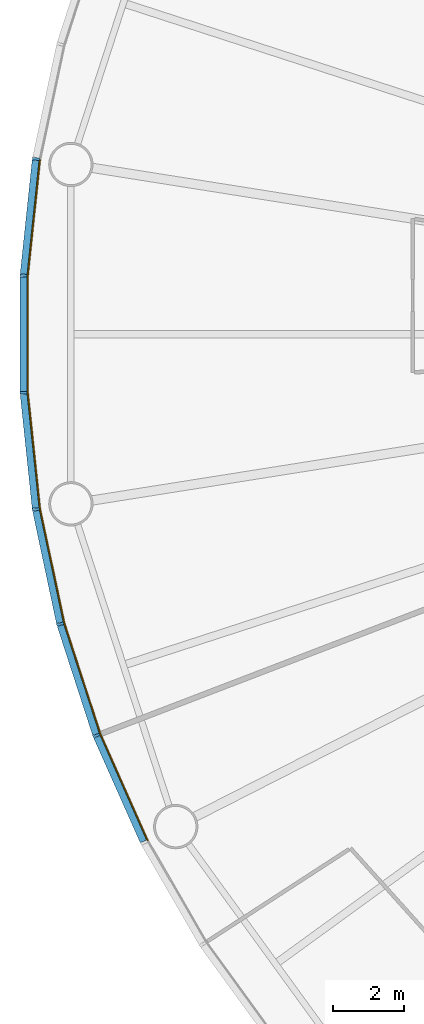
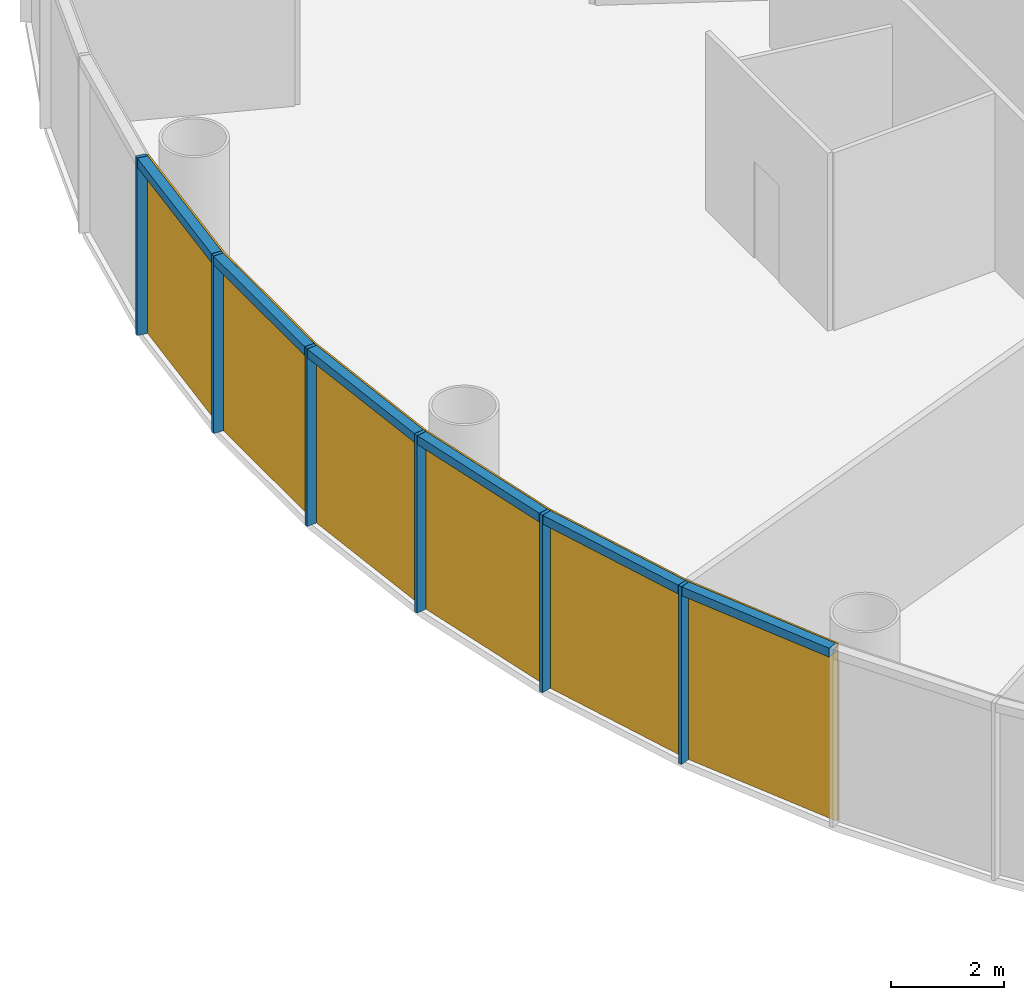
# One storey, part 8 of 13: 12 members, 2 curtain walls.
"""IFC4 building model written with IfcOpenShell, lengths in metres."""

import ifcopenshell
import ifcopenshell.guid

model = None  # the IFC model being written
_history = None  # IfcOwnerHistory: only IFC2X3 demands one
_inside = {}  # id of a spatial element -> (the spatial element, [elements in it])
_under = {}  # id of a project, library or spatial element -> (it, [spatial elements below it])
_declared = {}  # id of a project -> (the project, [libraries it declares])
_typed = {}  # id of a type object -> (the type object, [elements of that type])
_made_of = {}  # id of a material, layer set ... -> (it, [elements and type objects made of it])


def new_model(schema):
    """Start an empty IFC model of exactly this schema.

    Asked for "IFC4X3", IfcOpenShell would pick the latest addendum, in which some entities
    have other attributes; the version numbers below select the first issue.
    IFC2X3 requires an IfcOwnerHistory on every rooted entity: one is made here for all.
    """
    global model, _history
    if schema == "IFC4X3":
        model = ifcopenshell.file(schema_version=(4, 3, 0, 0))
    else:
        model = ifcopenshell.file(schema=schema)
    _inside.clear()
    _under.clear()
    _declared.clear()
    _typed.clear()
    _made_of.clear()
    _history = None
    if model.schema == "IFC2X3":
        org = make("IfcOrganization", Name="unknown")
        user = make(
            "IfcPersonAndOrganization",
            ThePerson=make("IfcPerson", FamilyName="unknown"),
            TheOrganization=org,
        )
        app = make(
            "IfcApplication",
            ApplicationDeveloper=org,
            Version="unknown",
            ApplicationFullName="unknown",
            ApplicationIdentifier="unknown",
        )
        _history = make(
            "IfcOwnerHistory",
            OwningUser=user,
            OwningApplication=app,
            ChangeAction="ADDED",
            CreationDate=0,
        )
    return model


def make(cls, **values):
    """One entity of the class cls with the attributes given. An attribute that is None is left unset."""
    return model.create_entity(
        cls, **{name: value for name, value in values.items() if value is not None}
    )


def rooted(cls, **values):
    """An entity with a GlobalId (a new one), such as an element, a storey or a relation."""
    return make(cls, GlobalId=ifcopenshell.guid.new(), OwnerHistory=_history, **values)


def si_unit(unit_type, name, prefix=None):
    """IfcSIUnit, for example si_unit("LENGTHUNIT", "METRE", prefix="MILLI")."""
    return make("IfcSIUnit", UnitType=unit_type, Prefix=prefix, Name=name)


def assignment(units):
    """IfcUnitAssignment: the units of a project."""
    return None if units is None else make("IfcUnitAssignment", Units=units)


def point(xyz):
    """IfcCartesianPoint."""
    return None if xyz is None else make("IfcCartesianPoint", Coordinates=xyz)


def direction(xyz):
    """IfcDirection."""
    return None if xyz is None else make("IfcDirection", DirectionRatios=xyz)


def frame(location, z_axis=None, x_axis=None):
    """IfcAxis2Placement3D, a coordinate frame: its origin and axes. An axis left out is left unset."""
    return make(
        "IfcAxis2Placement3D",
        Location=point(location),
        Axis=direction(z_axis),
        RefDirection=direction(x_axis),
    )


def frame_2d(location, x_axis=None):
    """IfcAxis2Placement2D, a coordinate frame in the plane: its origin and x axis."""
    return make(
        "IfcAxis2Placement2D", Location=point(location), RefDirection=direction(x_axis)
    )


def origin():
    """The frame at (0, 0, 0) with its axes left unset."""
    return frame((0.0, 0.0, 0.0))


def origin_2d():
    """The frame at (0, 0) in the plane with its x axis left unset."""
    return frame_2d((0.0, 0.0))


def place(relative_to, where):
    """IfcLocalPlacement: puts the frame where relative to a parent placement (None: the world)."""
    return make(
        "IfcLocalPlacement", PlacementRelTo=relative_to, RelativePlacement=where
    )


def context(
    kind, dimensions, precision=None, world=None, true_north=None, identifier=None
):
    """IfcGeometricRepresentationContext, for example the 3D "Model" context."""
    return make(
        "IfcGeometricRepresentationContext",
        ContextIdentifier=identifier,
        ContextType=kind,
        CoordinateSpaceDimension=dimensions,
        Precision=precision,
        WorldCoordinateSystem=world,
        TrueNorth=true_north,
    )


def subcontext(parent, identifier, kind, view, scale=None):
    """IfcGeometricRepresentationSubContext, for example "Body" below "Model"."""
    return make(
        "IfcGeometricRepresentationSubContext",
        ContextIdentifier=identifier,
        ContextType=kind,
        ParentContext=parent,
        TargetScale=scale,
        TargetView=view,
    )


def project(units=None, contexts=None):
    """IfcProject with its units and contexts."""
    return rooted(
        "IfcProject",
        Name="project",
        RepresentationContexts=contexts,
        UnitsInContext=assignment(units),
    )


def spatial(cls, under=None, at=None, **own):
    """A site, building, storey or space (cls), placed at a placement, below another one or the project."""
    s = rooted(cls, ObjectPlacement=at, **own)
    if under is not None:
        _under.setdefault(under.id(), (under, []))[1].append(s)
    return s


def polyline(points):
    """IfcPolyline through the points."""
    return make("IfcPolyline", Points=[point(p) for p in points])


def profile(cls, at=None, kind="AREA", **sizes):
    """A parametric profile (cls). Its sizes go by their IFC names, for example OverallWidth=200.0."""
    return make(cls, ProfileType=kind, Position=at, **sizes)


def rectangle(**sizes):
    """IfcRectangleProfileDef."""
    return profile("IfcRectangleProfileDef", **sizes)


def outline(outer, holes=None, kind="AREA"):
    """IfcArbitraryClosedProfileDef: a profile drawn as a closed curve; with holes, ...WithVoids."""
    if holes is None:
        return make("IfcArbitraryClosedProfileDef", ProfileType=kind, OuterCurve=outer)
    return make(
        "IfcArbitraryProfileDefWithVoids",
        ProfileType=kind,
        OuterCurve=outer,
        InnerCurves=holes,
    )


def extrude(swept, where, along, depth):
    """IfcExtrudedAreaSolid: the profile swept, set in the frame where, extruded along a direction by depth."""
    return make(
        "IfcExtrudedAreaSolid",
        SweptArea=swept,
        Position=where,
        ExtrudedDirection=direction(along),
        Depth=depth,
    )


def shape(context_of_items, identifier, shape_type, items):
    """IfcShapeRepresentation: the items that make up one representation, for example the "Body"."""
    return make(
        "IfcShapeRepresentation",
        ContextOfItems=context_of_items,
        RepresentationIdentifier=identifier,
        RepresentationType=shape_type,
        Items=items,
    )


def material(Name=None, Category=None):
    """IfcMaterial."""
    return make("IfcMaterial", Name=Name, Category=Category)


def layer(
    of_material, thickness, ventilated=None, Name=None, Category=None, Priority=None
):
    """IfcMaterialLayer: one layer of a wall or slab, of a material (None: an air gap)."""
    return make(
        "IfcMaterialLayer",
        Material=of_material,
        LayerThickness=thickness,
        IsVentilated=ventilated,
        Name=Name,
        Category=Category,
        Priority=Priority,
    )


def layer_set(layers, Name=None):
    """IfcMaterialLayerSet."""
    return make("IfcMaterialLayerSet", MaterialLayers=layers, LayerSetName=Name)


def material_profile(
    of_material, cross_section, Name=None, Category=None, Priority=None
):
    """IfcMaterialProfile: a cross section and its material."""
    return make(
        "IfcMaterialProfile",
        Name=Name,
        Material=of_material,
        Profile=cross_section,
        Priority=Priority,
        Category=Category,
    )


def profile_set(profiles, Name=None, composite=None):
    """IfcMaterialProfileSet."""
    return make(
        "IfcMaterialProfileSet",
        Name=Name,
        MaterialProfiles=profiles,
        CompositeProfile=composite,
    )


def made_of(thing, what):
    """Note that an element or type object is made of a material, layer set ...; save() writes the relation."""
    if what is not None:
        _made_of.setdefault(what.id(), (what, []))[1].append(thing)
    return thing


def type_object(cls, material=None, **own):
    """A type object (cls), such as IfcWallType, which elements share."""
    return made_of(rooted(cls, **own), material)


def element(
    cls,
    number,
    at=None,
    inside=None,
    cuts=None,
    type_object=None,
    material=None,
    context=None,
    identifier="Body",
    shape_type=None,
    held_by="IfcProductDefinitionShape",
    body=None,
    shapes=None,
    **own,
):
    """One element of the class cls, such as IfcWall. Its Tag is "e" and its number.

    at: its placement. inside: the storey or other place that contains it. cuts: it is an
    opening in that element (IfcRelVoidsElement). A single representation is given by context,
    identifier, shape_type and body (its items); several are given by shapes. held_by: the class
    of the entity that holds the representations. save() writes the other relations.
    """
    e = rooted(cls, Tag="e%d" % number, ObjectPlacement=at, **own)
    if body is not None:
        shapes = [shape(context, identifier, shape_type, body)]
    if shapes is not None:
        e.Representation = make(held_by, Representations=shapes)
    if inside is not None:
        _inside.setdefault(inside.id(), (inside, []))[1].append(e)
    if cuts is not None:
        rooted(
            "IfcRelVoidsElement", RelatingBuildingElement=cuts, RelatedOpeningElement=e
        )
    if type_object is not None:
        _typed.setdefault(type_object.id(), (type_object, []))[1].append(e)
    return made_of(e, material)


def aggregate(whole, parts):
    """IfcRelAggregates: a whole, such as a stair, and the parts it consists of."""
    return rooted("IfcRelAggregates", RelatingObject=whole, RelatedObjects=parts)


def save(model, path):
    """Write the relations noted so far, then the file.

    IfcRelAggregates (storeys below a building ...), IfcRelContainedInSpatialStructure (elements
    in a storey), IfcRelDefinesByType, IfcRelAssociatesMaterial and IfcRelDeclares: one each for
    every whole, place, type object, material and project.
    """
    for whole, parts in _under.values():
        aggregate(whole, parts)
    for where, things in _inside.values():
        rooted(
            "IfcRelContainedInSpatialStructure",
            RelatedElements=things,
            RelatingStructure=where,
        )
    for kind, things in _typed.values():
        rooted("IfcRelDefinesByType", RelatedObjects=things, RelatingType=kind)
    for what, things in _made_of.values():
        rooted("IfcRelAssociatesMaterial", RelatedObjects=things, RelatingMaterial=what)
    for by, libraries in _declared.values():
        rooted("IfcRelDeclares", RelatingContext=by, RelatedDefinitions=libraries)
    model.write(path)


model = new_model("IFC4")

# Units and contexts
model_context = context("Model", 3, precision=1e-05, world=origin(), true_north=direction((0.0, 1.0)))
body_context = subcontext(model_context, "Body", "Model", "MODEL_VIEW")
ifc_project = project(units=[si_unit("LENGTHUNIT", "METRE"), si_unit("AREAUNIT", "SQUARE_METRE"), si_unit("VOLUMEUNIT", "CUBIC_METRE"), si_unit("PLANEANGLEUNIT", "RADIAN"), si_unit("MASSUNIT", "GRAM", prefix="KILO")], contexts=[model_context])

# Member
ifc_material_1 = material(Name="Anodised aluminium", Category="aluminium")
ifc_material_profile_1 = material_profile(ifc_material_1, rectangle(XDim=0.070068359375, YDim=0.199951171875, at=origin_2d()), Name="Mullion 70 x 200 mm anodised aluminium")
ifc_profile_set_1 = profile_set([ifc_material_profile_1], Name="Anodised aluminium")
member_type_1 = type_object("IfcMemberType", Name="Mullion 70 x 200 mm anodised aluminium", PredefinedType="MULLION", material=ifc_profile_set_1)
site_placement = place(None, origin())
building_placement = place(site_placement, origin())
storey_placement = place(building_placement, frame((0.0, 0.0, 104.0)))
member_1_placement = place(storey_placement, frame((58.7890625, 84.943359375, 0.0), z_axis=(0.0, 0.0, 1.0), x_axis=(-0.15643446504, -0.987688340595, 0.0)))
member_1 = element("IfcMember", 1, at=member_1_placement, type_object=member_type_1, Name="MULLION L23-27", PredefinedType="MULLION", context=body_context, shape_type="SweptSolid", body=[
    extrude(rectangle(XDim=0.070068359375, YDim=0.199951171875, at=origin_2d()), origin(), (0.0, 0.0, 1.0), 3.85009765625),
])

member_2_placement = place(storey_placement, frame((58.443359375, 81.65380859375, 0.0), z_axis=(0.0, 0.0, 1.0), x_axis=(-0.052335956243, -0.998629534755, 0.0)))
member_2 = element("IfcMember", 2, at=member_2_placement, type_object=member_type_1, Name="MULLION L23-28", PredefinedType="MULLION", context=body_context, shape_type="SweptSolid", body=[
    extrude(rectangle(XDim=0.070068359375, YDim=0.199951171875, at=origin_2d()), origin(), (0.0, 0.0, 1.0), 3.85009765625),
])

member_3_placement = place(storey_placement, frame((58.443359375, 78.34619140625, 0.0), z_axis=(0.0, 0.0, 1.0), x_axis=(0.052335956243, -0.998629534755, 0.0)))
member_3 = element("IfcMember", 3, at=member_3_placement, type_object=member_type_1, Name="MULLION L23-29", PredefinedType="MULLION", context=body_context, shape_type="SweptSolid", body=[
    extrude(rectangle(XDim=0.070068359375, YDim=0.199951171875, at=origin_2d()), origin(), (0.0, 0.0, 1.0), 3.85009765625),
])

member_4_placement = place(storey_placement, frame((58.7890625, 75.056640625, 0.0), z_axis=(0.0, 0.0, 1.0), x_axis=(0.15643446504, -0.987688340595, 0.0)))
member_4 = element("IfcMember", 4, at=member_4_placement, type_object=member_type_1, Name="MULLION L23-30", PredefinedType="MULLION", context=body_context, shape_type="SweptSolid", body=[
    extrude(rectangle(XDim=0.070068359375, YDim=0.199951171875, at=origin_2d()), origin(), (0.0, 0.0, 1.0), 3.85009765625),
])

member_5_placement = place(storey_placement, frame((59.476806640625, 71.8212890625, 0.0), z_axis=(0.0, 0.0, 1.0), x_axis=(0.258819045103, -0.965925826289, 0.0)))
member_5 = element("IfcMember", 5, at=member_5_placement, type_object=member_type_1, Name="MULLION L23-31", PredefinedType="MULLION", context=body_context, shape_type="SweptSolid", body=[
    extrude(rectangle(XDim=0.070068359375, YDim=0.199951171875, at=origin_2d()), origin(), (0.0, 0.0, 1.0), 3.85009765625),
])

member_6_placement = place(storey_placement, frame((60.498779296875, 68.675537109375, 0.0), z_axis=(0.0, 0.0, 1.0), x_axis=(0.358367949545, -0.933580426497, 0.0)))
member_6 = element("IfcMember", 6, at=member_6_placement, type_object=member_type_1, Name="MULLION L23-32", PredefinedType="MULLION", context=body_context, shape_type="SweptSolid", body=[
    extrude(rectangle(XDim=0.070068359375, YDim=0.199951171875, at=origin_2d()), origin(), (0.0, 0.0, 1.0), 3.85009765625),
])

ifc_material_2 = material(Name="Anodised aluminium", Category="aluminium")
ifc_material_profile_2 = material_profile(ifc_material_2, rectangle(XDim=0.199951171875, YDim=0.18994140625, at=origin_2d()), Name="Transom 190 x 200 mm anodised aluminium")
ifc_profile_set_2 = profile_set([ifc_material_profile_2], Name="Anodised aluminium")
member_type_2 = type_object("IfcMemberType", Name="Transom 190 x 200 mm anodised aluminium", PredefinedType="USERDEFINED", material=ifc_profile_set_2)
member_7_placement = place(storey_placement, frame((58.78466796875, 84.9033203125, 3.7548828125), z_axis=(-0.104550890115, -0.994519537956, 0.0), x_axis=(0.994519537956, -0.104550890115, 0.0)))
member_7 = element("IfcMember", 7, at=member_7_placement, type_object=member_type_2, Name="TRANSOM L23-27", ObjectType="TRANSOM", PredefinedType="USERDEFINED", context=body_context, shape_type="SweptSolid", body=[
    extrude(rectangle(XDim=0.199951171875, YDim=0.18994140625, at=origin_2d()), origin(), (0.0, 0.0, 1.0), 3.22705078125),
])

member_8_placement = place(storey_placement, frame((58.443115234375, 81.613525390625, 3.7548828125), z_axis=(0.0, -1.0, 0.0), x_axis=(1.0, 0.0, 0.0)))
member_8 = element("IfcMember", 8, at=member_8_placement, type_object=member_type_2, Name="TRANSOM L23-28", ObjectType="TRANSOM", PredefinedType="USERDEFINED", context=body_context, shape_type="SweptSolid", body=[
    extrude(rectangle(XDim=0.199951171875, YDim=0.18994140625, at=origin_2d()), origin(), (0.0, 0.0, 1.0), 3.22705078125),
])

member_9_placement = place(storey_placement, frame((58.447265625, 78.30615234375, 3.7548828125), z_axis=(0.104550890115, -0.994519537956, 0.0), x_axis=(0.994519537956, 0.104550890115, 0.0)))
member_9 = element("IfcMember", 9, at=member_9_placement, type_object=member_type_2, Name="TRANSOM L23-29", ObjectType="TRANSOM", PredefinedType="USERDEFINED", context=body_context, shape_type="SweptSolid", body=[
    extrude(rectangle(XDim=0.199951171875, YDim=0.18994140625, at=origin_2d()), origin(), (0.0, 0.0, 1.0), 3.22705078125),
])

member_10_placement = place(storey_placement, frame((58.79736328125, 75.017333984375, 3.7548828125), z_axis=(0.207885898771, -0.978153082647, 0.0), x_axis=(0.978153082647, 0.207885898771, 0.0)))
member_10 = element("IfcMember", 10, at=member_10_placement, type_object=member_type_2, Name="TRANSOM L23-30", ObjectType="TRANSOM", PredefinedType="USERDEFINED", context=body_context, shape_type="SweptSolid", body=[
    extrude(rectangle(XDim=0.199951171875, YDim=0.18994140625, at=origin_2d()), origin(), (0.0, 0.0, 1.0), 3.227294921875),
])

member_11_placement = place(storey_placement, frame((59.489013671875, 71.782958984375, 3.7548828125), z_axis=(0.309046726844, -0.951046855117, 0.0), x_axis=(0.951046855117, 0.309046726844, 0.0)))
member_11 = element("IfcMember", 11, at=member_11_placement, type_object=member_type_2, Name="TRANSOM L23-31", ObjectType="TRANSOM", PredefinedType="USERDEFINED", context=body_context, shape_type="SweptSolid", body=[
    extrude(rectangle(XDim=0.199951171875, YDim=0.18994140625, at=origin_2d()), origin(), (0.0, 0.0, 1.0), 3.22705078125),
])

member_12_placement = place(storey_placement, frame((60.51513671875, 68.638671875, 3.7548828125), z_axis=(0.406728032322, -0.913549291349, 0.0), x_axis=(0.913549291349, 0.406728032322, 0.0)))
member_12 = element("IfcMember", 12, at=member_12_placement, type_object=member_type_2, Name="TRANSOM L23-32", ObjectType="TRANSOM", PredefinedType="USERDEFINED", context=body_context, shape_type="SweptSolid", body=[
    extrude(rectangle(XDim=0.199951171875, YDim=0.18994140625, at=origin_2d()), origin(), (0.0, 0.0, 1.0), 3.22705078125),
])

# Site, building, storey
site = spatial("IfcSite", under=ifc_project, at=site_placement, CompositionType="ELEMENT")
building = spatial("IfcBuilding", under=site, at=building_placement, Name="Entoto Ring Tower", CompositionType="ELEMENT")
storey = spatial("IfcBuildingStorey", under=building, at=storey_placement, Name="L23", CompositionType="ELEMENT", Elevation=104.0)

# Curtain wall
ifc_material_3 = material(Name="Clear low-iron glass", Category="glass")
ifc_layer = layer(ifc_material_3, 0.035888671875)
ifc_layer_set = layer_set([ifc_layer], Name="Clear low-iron glass")
curtain_wall_type = type_object("IfcCurtainWallType", Name="Curtain wall system CW2 glazing 36 mm", PredefinedType="NOTDEFINED", material=ifc_layer_set)
curtain_wall_1_placement = place(storey_placement, origin())
curtain_wall_1 = element("IfcCurtainWall", 13, at=curtain_wall_1_placement, inside=storey, type_object=curtain_wall_type, Name="CW2 L23-10", PredefinedType="NOTDEFINED", context=body_context, shape_type="SweptSolid", body=[
    extrude(outline(polyline([(58.8876953125, 84.927734375), (58.543212890625, 81.648681640625), (58.543212890625, 78.351318359375), (58.8876953125, 75.072265625), (58.92333984375, 75.077880859375), (58.5791015625, 78.353271484375), (58.5791015625, 81.646728515625), (58.92333984375, 84.922119140625), (58.8876953125, 84.927734375)])), origin(), (0.0, 0.0, 1.0), 3.85009765625),
])

aggregate(curtain_wall_1, [member_1, member_2, member_3, member_7, member_8, member_9])

curtain_wall_2_placement = place(storey_placement, origin())
curtain_wall_2 = element("IfcCurtainWall", 14, at=curtain_wall_2_placement, inside=storey, type_object=curtain_wall_type, Name="CW2 L23-11", PredefinedType="NOTDEFINED", context=body_context, shape_type="SweptSolid", body=[
    extrude(outline(polyline([(58.8876953125, 75.072265625), (59.5732421875, 71.84716796875), (60.59228515625, 68.71142578125), (61.933349609375, 65.69921875), (61.96533203125, 65.715576171875), (60.6259765625, 68.724365234375), (59.608154296875, 71.8564453125), (58.92333984375, 75.077880859375), (58.8876953125, 75.072265625)])), origin(), (0.0, 0.0, 1.0), 3.85009765625),
])

aggregate(curtain_wall_2, [member_4, member_5, member_6, member_10, member_11, member_12])

save(model, "model.ifc")
